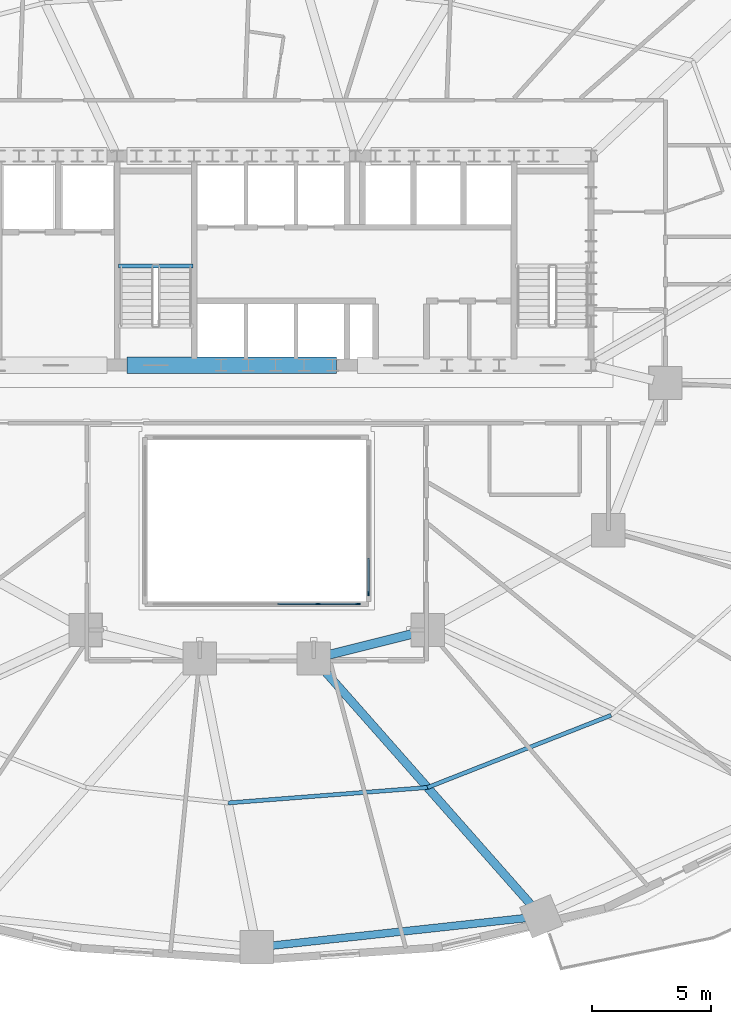
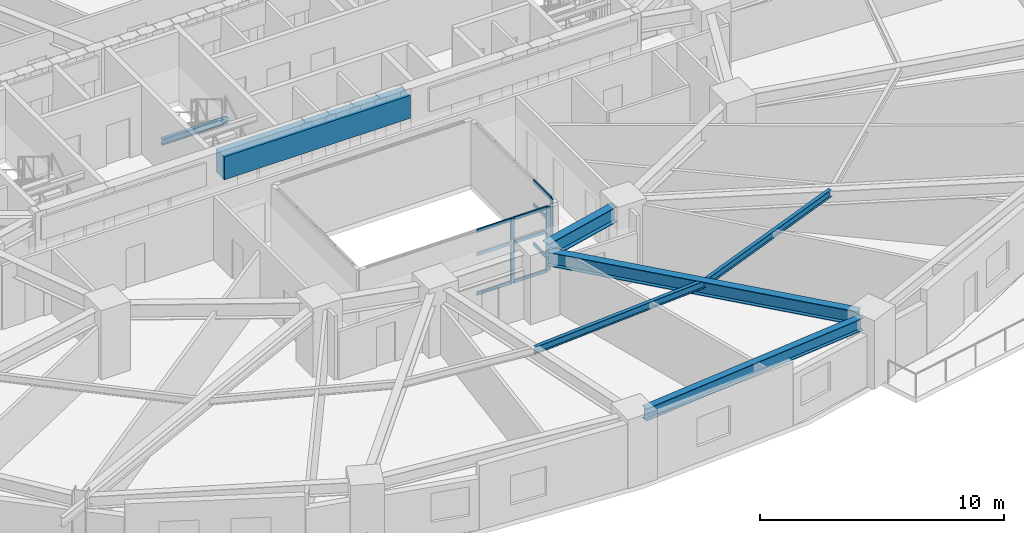
# One storey, part 5 of 18: 12 members, 7 beams, 2 elements without a shape of their own.
"""IFC4 building model written with IfcOpenShell, lengths in metres."""

from ifc_helpers import new_model, si_unit, direction, frame, origin, origin_2d, place, context, subcontext, project, spatial, rectangle, i_section, extrude, material, material_profile, profile_set, type_object, element, aggregate, save


model = new_model("IFC4")

# Units and contexts
model_context = context("Model", 3, precision=1e-05, world=origin(), true_north=direction((0.0, 1.0)))
body_context = subcontext(model_context, "Body", "Model", "MODEL_VIEW")
ifc_project = project(units=[si_unit("LENGTHUNIT", "METRE"), si_unit("AREAUNIT", "SQUARE_METRE"), si_unit("VOLUMEUNIT", "CUBIC_METRE"), si_unit("PLANEANGLEUNIT", "RADIAN"), si_unit("MASSUNIT", "GRAM", prefix="KILO")], contexts=[model_context])

# Site, building, storey
site_placement = place(None, origin())
site = spatial("IfcSite", under=ifc_project, at=site_placement, CompositionType="ELEMENT")
building_placement = place(site_placement, origin())
building = spatial("IfcBuilding", under=site, at=building_placement, Name="Haldorwick Loom Tower", CompositionType="ELEMENT")
storey_placement = place(building_placement, frame((0.0, 0.0, 48.14990234375)))
storey = spatial("IfcBuildingStorey", under=building, at=storey_placement, Name="L12", CompositionType="ELEMENT", Elevation=48.14990234375)

# Curtain wall, members
ifc_material_1 = material(Name="Thermally Broken Anodized Aluminium Curtain Wall Framing", Category="aluminium")
curtain_wall_type = type_object("IfcCurtainWallType", Name="ARC-CW-03", PredefinedType="NOTDEFINED", material=ifc_material_1)
curtain_wall_1_placement = place(storey_placement, origin())
curtain_wall_1 = element("IfcCurtainWall", 1, at=curtain_wall_1_placement, inside=storey, type_object=curtain_wall_type, Name="L12 Atrium Glazed Screen S", PredefinedType="NOTDEFINED")
ifc_material_profile_1 = material_profile(ifc_material_1, rectangle(XDim=0.06591796875, YDim=0.18505859375, at=origin_2d()), Name="ALU_MUL_66X185", Category="aluminium")
ifc_profile_set_1 = profile_set([ifc_material_profile_1], Name="Thermally Broken Anodized Aluminium Curtain Wall Framing")
member_type_1 = type_object("IfcMemberType", Name="ARC-CWM-03", PredefinedType="MULLION", material=ifc_profile_set_1)
member_1_placement = place(storey_placement, frame((40.26708984375, 16.699951171875, 0.0), z_axis=(0.0, 0.0, 1.0), x_axis=(0.0, -1.0, 0.0)))
member_1 = element("IfcMember", 2, at=member_1_placement, type_object=member_type_1, Name="CW-03 mullion 1", PredefinedType="MULLION", context=body_context, shape_type="SweptSolid", body=[
    extrude(rectangle(XDim=0.06591796875, YDim=0.18505859375, at=origin_2d()), origin(), (0.0, 0.0, 1.0), 3.210205078125),
])
member_2_placement = place(storey_placement, frame((38.580078125, 16.699951171875, 0.0), z_axis=(0.0, 0.0, 1.0), x_axis=(0.0, -1.0, 0.0)))
member_2 = element("IfcMember", 3, at=member_2_placement, type_object=member_type_1, Name="CW-03 mullion 2", PredefinedType="MULLION", context=body_context, shape_type="SweptSolid", body=[
    extrude(rectangle(XDim=0.06591796875, YDim=0.18505859375, at=origin_2d()), origin(), (0.0, 0.0, 1.0), 3.210205078125),
])

# Curtain wall, member
curtain_wall_2_placement = place(storey_placement, origin())
curtain_wall_2 = element("IfcCurtainWall", 4, at=curtain_wall_2_placement, inside=storey, type_object=curtain_wall_type, Name="L12 Atrium Glazed Screen E", PredefinedType="NOTDEFINED")
member_3_placement = place(storey_placement, frame((40.699951171875, 17.133056640625, 0.0), z_axis=(0.0, 0.0, 1.0), x_axis=(1.0, 0.0, 0.0)))
member_3 = element("IfcMember", 5, at=member_3_placement, type_object=member_type_1, Name="CW-03 mullion 5", PredefinedType="MULLION", context=body_context, shape_type="SweptSolid", body=[
    extrude(rectangle(XDim=0.06591796875, YDim=0.18505859375, at=origin_2d()), origin(), (0.0, 0.0, 1.0), 3.210205078125),
])

# Member
ifc_material_profile_2 = material_profile(ifc_material_1, rectangle(XDim=0.06591796875, YDim=0.1650390625, at=origin_2d()), Name="ALU_TRN_66X165", Category="aluminium")
ifc_profile_set_2 = profile_set([ifc_material_profile_2], Name="Thermally Broken Anodized Aluminium Curtain Wall Framing")
member_type_2 = type_object("IfcMemberType", Name="ARC-CWT-03", PredefinedType="USERDEFINED", material=ifc_profile_set_2)
member_4_placement = place(storey_placement, frame((40.23388671875, 16.699951171875, 0.033203125), z_axis=(-1.0, 0.0, 0.0), x_axis=(0.0, -1.0, 0.0)))
member_4 = element("IfcMember", 6, at=member_4_placement, type_object=member_type_2, Name="CW-03 transom 1.1", ObjectType="TRANSOM", PredefinedType="USERDEFINED", context=body_context, shape_type="SweptSolid", body=[
    extrude(rectangle(XDim=0.06591796875, YDim=0.1650390625, at=origin_2d()), origin(), (0.0, 0.0, 1.0), 1.620849609375),
])

member_5_placement = place(storey_placement, frame((40.23388671875, 16.699951171875, 2.0), z_axis=(-1.0, 0.0, 0.0), x_axis=(0.0, -1.0, 0.0)))
member_5 = element("IfcMember", 7, at=member_5_placement, type_object=member_type_2, Name="CW-03 transom 1.2", ObjectType="TRANSOM", PredefinedType="USERDEFINED", context=body_context, shape_type="SweptSolid", body=[
    extrude(rectangle(XDim=0.06591796875, YDim=0.1650390625, at=origin_2d()), origin(), (0.0, 0.0, 1.0), 1.620849609375),
])

member_6_placement = place(storey_placement, frame((40.23388671875, 16.699951171875, 3.177001953125), z_axis=(-1.0, 0.0, 0.0), x_axis=(0.0, -1.0, 0.0)))
member_6 = element("IfcMember", 8, at=member_6_placement, type_object=member_type_2, Name="CW-03 transom 1.3", ObjectType="TRANSOM", PredefinedType="USERDEFINED", context=body_context, shape_type="SweptSolid", body=[
    extrude(rectangle(XDim=0.06591796875, YDim=0.1650390625, at=origin_2d()), origin(), (0.0, 0.0, 1.0), 1.620849609375),
])

member_7_placement = place(storey_placement, frame((38.547119140625, 16.699951171875, 0.033203125), z_axis=(-1.0, 0.0, 0.0), x_axis=(0.0, -1.0, 0.0)))
member_7 = element("IfcMember", 9, at=member_7_placement, type_object=member_type_2, Name="CW-03 transom 2.1", ObjectType="TRANSOM", PredefinedType="USERDEFINED", context=body_context, shape_type="SweptSolid", body=[
    extrude(rectangle(XDim=0.06591796875, YDim=0.1650390625, at=origin_2d()), origin(), (0.0, 0.0, 1.0), 1.654052734375),
])

member_8_placement = place(storey_placement, frame((38.547119140625, 16.699951171875, 2.0), z_axis=(-1.0, 0.0, 0.0), x_axis=(0.0, -1.0, 0.0)))
member_8 = element("IfcMember", 10, at=member_8_placement, type_object=member_type_2, Name="CW-03 transom 2.2", ObjectType="TRANSOM", PredefinedType="USERDEFINED", context=body_context, shape_type="SweptSolid", body=[
    extrude(rectangle(XDim=0.06591796875, YDim=0.1650390625, at=origin_2d()), origin(), (0.0, 0.0, 1.0), 1.654052734375),
])

member_9_placement = place(storey_placement, frame((38.547119140625, 16.699951171875, 3.177001953125), z_axis=(-1.0, 0.0, 0.0), x_axis=(0.0, -1.0, 0.0)))
member_9 = element("IfcMember", 11, at=member_9_placement, type_object=member_type_2, Name="CW-03 transom 2.3", ObjectType="TRANSOM", PredefinedType="USERDEFINED", context=body_context, shape_type="SweptSolid", body=[
    extrude(rectangle(XDim=0.06591796875, YDim=0.1650390625, at=origin_2d()), origin(), (0.0, 0.0, 1.0), 1.654052734375),
])

aggregate(curtain_wall_1, [member_1, member_2, member_4, member_5, member_6, member_7, member_8, member_9])

member_10_placement = place(storey_placement, frame((40.699951171875, 18.616943359375, 0.033203125), z_axis=(0.0, -1.0, 0.0), x_axis=(1.0, 0.0, 0.0)))
member_10 = element("IfcMember", 12, at=member_10_placement, type_object=member_type_2, Name="CW-03 transom 4.1", ObjectType="TRANSOM", PredefinedType="USERDEFINED", context=body_context, shape_type="SweptSolid", body=[
    extrude(rectangle(XDim=0.06591796875, YDim=0.1650390625, at=origin_2d()), origin(), (0.0, 0.0, 1.0), 1.450927734375),
])

member_11_placement = place(storey_placement, frame((40.699951171875, 18.616943359375, 2.0), z_axis=(0.0, -1.0, 0.0), x_axis=(1.0, 0.0, 0.0)))
member_11 = element("IfcMember", 13, at=member_11_placement, type_object=member_type_2, Name="CW-03 transom 4.2", ObjectType="TRANSOM", PredefinedType="USERDEFINED", context=body_context, shape_type="SweptSolid", body=[
    extrude(rectangle(XDim=0.06591796875, YDim=0.1650390625, at=origin_2d()), origin(), (0.0, 0.0, 1.0), 1.450927734375),
])

member_12_placement = place(storey_placement, frame((40.699951171875, 18.616943359375, 3.177001953125), z_axis=(0.0, -1.0, 0.0), x_axis=(1.0, 0.0, 0.0)))
member_12 = element("IfcMember", 14, at=member_12_placement, type_object=member_type_2, Name="CW-03 transom 4.3", ObjectType="TRANSOM", PredefinedType="USERDEFINED", context=body_context, shape_type="SweptSolid", body=[
    extrude(rectangle(XDim=0.06591796875, YDim=0.1650390625, at=origin_2d()), origin(), (0.0, 0.0, 1.0), 1.450927734375),
])

aggregate(curtain_wall_2, [member_3, member_10, member_11, member_12])

# Beams
ifc_material_2 = material(Name="Concrete C60 (60 MPa)", Category="concrete")
ifc_material_profile_3 = material_profile(ifc_material_2, rectangle(XDim=0.699951171875, YDim=1.14990234375, at=origin_2d()), Name="RC700X1150", Category="concrete")
ifc_profile_set_3 = profile_set([ifc_material_profile_3], Name="Concrete C60 (60 MPa)")
beam_type_1 = type_object("IfcBeamType", Name="STR-BM-CB1150", PredefinedType="LINTEL", material=ifc_profile_set_3)
beam_1_placement = place(storey_placement, frame((30.550048828125, 26.75, 2.635009765625), z_axis=(1.0, 0.0, 0.0), x_axis=(0.0, 1.0, 0.0)))
element("IfcBeam", 15, at=beam_1_placement, inside=storey, type_object=beam_type_1, Name="L12 Core Coupling Beam CB-S2", PredefinedType="LINTEL", context=body_context, shape_type="SweptSolid", body=[
    extrude(rectangle(XDim=0.699951171875, YDim=1.14990234375, at=origin_2d()), origin(), (0.0, 0.0, 1.0), 8.800048828125),
])
ifc_material_3 = material(Name="Steel CSA G40.21 350W", Category="steel")
ifc_material_profile_4 = material_profile(ifc_material_3, i_section(OverallWidth=0.172119140625, OverallDepth=0.35791015625, WebThickness=0.0078125, FlangeThickness=0.01318359375, at=origin_2d()), Name="W360X57", Category="steel")
ifc_profile_set_4 = profile_set([ifc_material_profile_4], Name="Steel CSA G40.21 350W")
beam_type_2 = type_object("IfcBeamType", Name="STR-BM-J360", PredefinedType="JOIST", material=ifc_profile_set_4)
beam_2_placement = place(storey_placement, frame((34.800048828125, 8.324951171875, 3.031005859375), z_axis=(0.99701252039, 0.077240107368, 0.0), x_axis=(-0.077240107368, 0.99701252039, 0.0)))
element("IfcBeam", 16, at=beam_2_placement, inside=storey, type_object=beam_type_2, Name="L12 Mid-Bay Secondary Joist 13", PredefinedType="JOIST", context=body_context, shape_type="SweptSolid", body=[
    extrude(i_section(OverallWidth=0.172119140625, OverallDepth=0.35791015625, WebThickness=0.0078125, FlangeThickness=0.01318359375, at=origin_2d()), origin(), (0.0, 0.0, 1.0), 8.4140625),
])
beam_3_placement = place(storey_placement, frame((43.18896484375, 8.974853515625, 3.031005859375), z_axis=(0.930584838237, 0.366076301941, 0.0), x_axis=(-0.366076301941, 0.930584838237, 0.0)))
element("IfcBeam", 17, at=beam_3_placement, inside=storey, type_object=beam_type_2, Name="L12 Mid-Bay Secondary Joist 14", PredefinedType="JOIST", context=body_context, shape_type="SweptSolid", body=[
    extrude(i_section(OverallWidth=0.172119140625, OverallDepth=0.35791015625, WebThickness=0.0078125, FlangeThickness=0.01318359375, at=origin_2d()), origin(), (0.0, 0.0, 1.0), 8.302490234375),
])
ifc_material_profile_5 = material_profile(ifc_material_3, i_section(OverallWidth=0.324951171875, OverallDepth=0.615966796875, WebThickness=0.013916015625, FlangeThickness=0.021484375, at=origin_2d()), Name="W610X174", Category="steel")
ifc_profile_set_5 = profile_set([ifc_material_profile_5], Name="Steel CSA G40.21 350W")
beam_type_3 = type_object("IfcBeamType", Name="STR-BM-SP610", PredefinedType="SPANDREL", material=ifc_profile_set_5)
beam_4_placement = place(storey_placement, frame((36.51708984375, 2.30615234375, 2.902099609375), z_axis=(0.994164438636, 0.107875247167, 0.0), x_axis=(-0.107875247167, 0.994164438636, 0.0)))
element("IfcBeam", 18, at=beam_4_placement, inside=storey, type_object=beam_type_3, Name="L12 Perimeter Spandrel 13", PredefinedType="SPANDREL", context=body_context, shape_type="SweptSolid", body=[
    extrude(i_section(OverallWidth=0.324951171875, OverallDepth=0.615966796875, WebThickness=0.013916015625, FlangeThickness=0.021484375, at=origin_2d()), origin(), (0.0, 0.0, 1.0), 11.008056640625),
])
ifc_material_profile_6 = material_profile(ifc_material_3, i_section(OverallWidth=0.166015625, OverallDepth=0.31298828125, WebThickness=0.006591796875, FlangeThickness=0.01123046875, at=origin_2d()), Name="W310X45", Category="steel")
ifc_profile_set_6 = profile_set([ifc_material_profile_6], Name="Steel CSA G40.21 350W")
beam_type_4 = type_object("IfcBeamType", Name="STR-BM-STRM", PredefinedType="BEAM", material=ifc_profile_set_6)
beam_5_placement = place(storey_placement, frame((30.18994140625, 30.919921875, 1.36865234375), z_axis=(1.0, 0.0, 0.0), x_axis=(0.0, 1.0, 0.0)))
element("IfcBeam", 19, at=beam_5_placement, inside=storey, type_object=beam_type_4, Name="L12 Stair ST-03 Half-Landing Trimmer 1", PredefinedType="BEAM", context=body_context, shape_type="SweptSolid", body=[
    extrude(i_section(OverallWidth=0.166015625, OverallDepth=0.31298828125, WebThickness=0.006591796875, FlangeThickness=0.01123046875, at=origin_2d()), origin(), (0.0, 0.0, 1.0), 3.1201171875),
])
ifc_material_profile_7 = material_profile(ifc_material_3, i_section(OverallWidth=0.35498046875, OverallDepth=0.695068359375, WebThickness=0.015380859375, FlangeThickness=0.02490234375, at=origin_2d()), Name="W690X217", Category="steel")
ifc_profile_set_7 = profile_set([ifc_material_profile_7], Name="Steel CSA G40.21 350W")
beam_type_5 = type_object("IfcBeamType", Name="STR-BM-W690", PredefinedType="BEAM", material=ifc_profile_set_7)
beam_6_placement = place(storey_placement, frame((38.744140625, 14.01025390625, 2.862548828125), z_axis=(0.661774304332, -0.749703121326, 0.0), x_axis=(0.749703121326, 0.661774304332, 0.0)))
element("IfcBeam", 20, at=beam_6_placement, inside=storey, type_object=beam_type_5, Name="L12 Radial Floor Girder 14", PredefinedType="BEAM", context=body_context, shape_type="SweptSolid", body=[
    extrude(i_section(OverallWidth=0.35498046875, OverallDepth=0.695068359375, WebThickness=0.015380859375, FlangeThickness=0.02490234375, at=origin_2d()), origin(), (0.0, 0.0, 1.0), 13.43310546875),
])
ifc_material_profile_8 = material_profile(ifc_material_3, i_section(OverallWidth=0.381103515625, OverallDepth=0.77294921875, WebThickness=0.0166015625, FlangeThickness=0.027587890625, at=origin_2d()), Name="W760X257", Category="steel")
ifc_profile_set_8 = profile_set([ifc_material_profile_8], Name="Steel CSA G40.21 350W")
beam_type_6 = type_object("IfcBeamType", Name="STR-BM-W760", PredefinedType="BEAM", material=ifc_profile_set_8)
beam_7_placement = place(storey_placement, frame((42.695556640625, 15.473876953125, 2.823486328125), z_axis=(-0.970142500145, -0.242535625036, 0.0), x_axis=(0.242535625036, -0.970142500145, 0.0)))
element("IfcBeam", 21, at=beam_7_placement, inside=storey, type_object=beam_type_6, Name="L12 Inner Ring Girder 4", PredefinedType="BEAM", context=body_context, shape_type="SweptSolid", body=[
    extrude(i_section(OverallWidth=0.381103515625, OverallDepth=0.77294921875, WebThickness=0.0166015625, FlangeThickness=0.027587890625, at=origin_2d()), origin(), (0.0, 0.0, 1.0), 3.90771484375),
])

save(model, "model.ifc")
